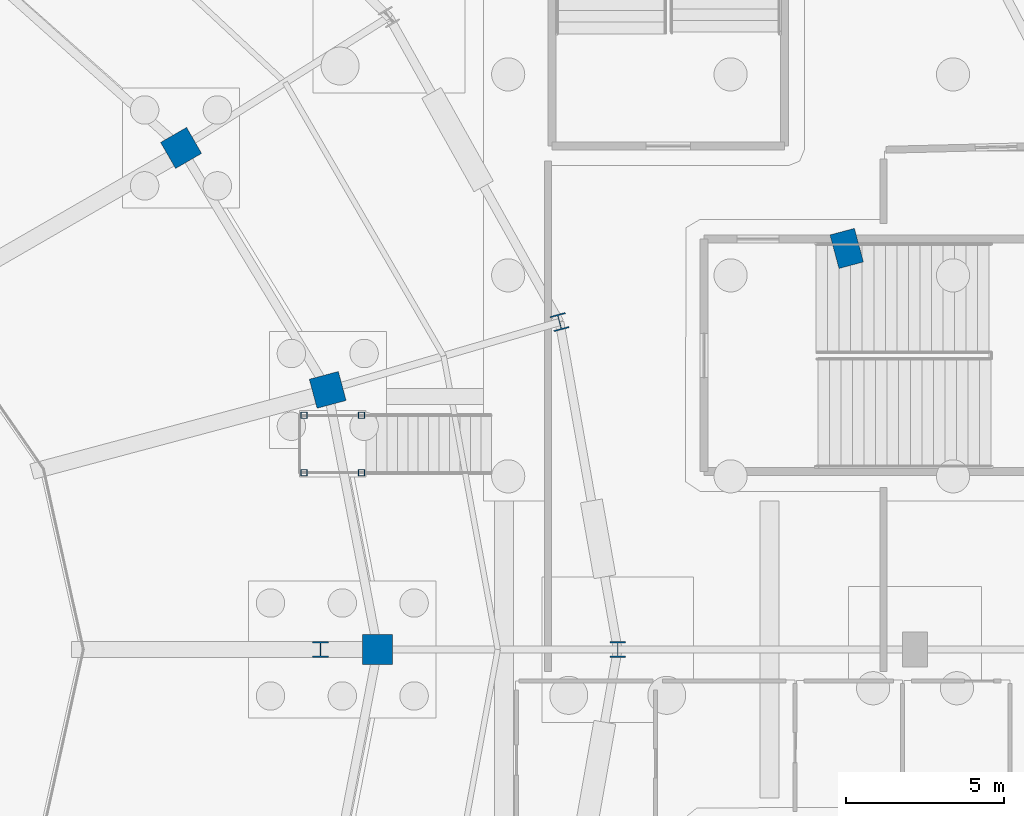
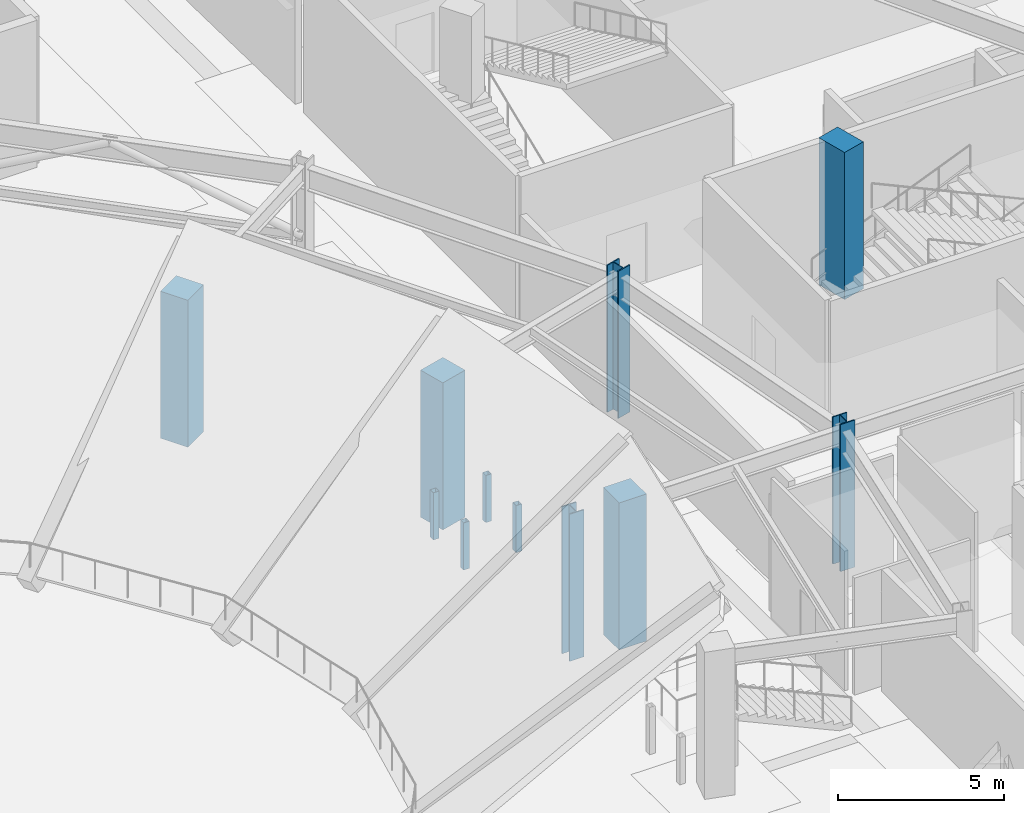
# One storey, part 30 of 93: 11 columns.
"""IFC4 building model written with IfcOpenShell, lengths in metres."""

from ifc_helpers import new_model, si_unit, direction, frame, origin, origin_2d, place, context, subcontext, project, spatial, rectangle, hollow_rectangle, i_section, extrude, material, material_profile, profile_set, type_object, element, save


model = new_model("IFC4")

# Units and contexts
model_context = context("Model", 3, precision=1e-05, world=origin(), true_north=direction((0.0, 1.0)))
body_context = subcontext(model_context, "Body", "Model", "MODEL_VIEW")
ifc_project = project(units=[si_unit("LENGTHUNIT", "METRE"), si_unit("AREAUNIT", "SQUARE_METRE"), si_unit("VOLUMEUNIT", "CUBIC_METRE"), si_unit("PLANEANGLEUNIT", "RADIAN"), si_unit("MASSUNIT", "GRAM", prefix="KILO")], contexts=[model_context])

# Site, building, storey
site_placement = place(None, origin())
site = spatial("IfcSite", under=ifc_project, at=site_placement, CompositionType="ELEMENT")
building_placement = place(site_placement, origin())
building = spatial("IfcBuilding", under=site, at=building_placement, Name="Kalgoora Escarpment Arena", CompositionType="ELEMENT")
storey_placement = place(building_placement, origin())
storey = spatial("IfcBuildingStorey", under=building, at=storey_placement, Name="L00", CompositionType="ELEMENT", Elevation=0.0)

# Columns
ifc_material_1 = material(Name="Structural steel Grade 350 (350 MPa)", Category="steel")
ifc_material_profile_1 = material_profile(ifc_material_1, i_section(OverallWidth=0.5, OverallDepth=0.5, WebThickness=0.02490234375, FlangeThickness=0.0419921875, at=origin_2d()))
ifc_profile_set_1 = profile_set([ifc_material_profile_1], Name="Structural steel Grade 350 (350 MPa)")
column_type_1 = type_object("IfcColumnType", Name="COL-COL-500WC440", PredefinedType="COLUMN", material=ifc_profile_set_1)
for number, where, z_axis, x_axis, name in (
    (1, (146.39990234375, 64.0, 0.0), (0.0, 0.0, 1.0), (1.0, 0.0, 0.0), "L00 structural column COL-RMAIN-R01"),
    (2, (144.56005859375, 74.352783203125, 0.0), (0.0, 0.0, 1.0), (0.965925826289, 0.258819045103, 0.0), "L00 structural column COL-RMAIN-R02"),
    (3, (137.0, 64.0, 0.0), (0.0, 0.0, 1.0), (1.0, 0.0, 0.0), "L00 structural column COL-TSPINE-S01"),
):
    element("IfcColumn", number, at=place(storey_placement, frame(where, z_axis=z_axis, x_axis=x_axis)), inside=storey, type_object=column_type_1, Name=name, PredefinedType="COLUMN", context=body_context, shape_type="SweptSolid", body=[
        extrude(i_section(OverallWidth=0.5, OverallDepth=0.5, WebThickness=0.02490234375, FlangeThickness=0.0419921875, at=origin_2d()), origin(), (0.0, 0.0, 1.0), 5.39990234375),
    ])
ifc_material_2 = material(Name="Concrete N50 (fc' 50 MPa)", Category="concrete")
ifc_material_profile_2 = material_profile(ifc_material_2, rectangle(XDim=0.800048828125, YDim=1.10009765625, at=origin_2d()))
ifc_profile_set_2 = profile_set([ifc_material_profile_2], Name="Concrete N50 (fc' 50 MPa)")
column_type_2 = type_object("IfcColumnType", Name="COL-COL-RC1100x800", PredefinedType="COLUMN", material=ifc_profile_set_2)
column_placement = place(storey_placement, frame((153.6396484375, 76.68212890625, 0.0), z_axis=(0.0, 0.0, 1.0), x_axis=(0.965925826289, 0.258819045103, 0.0)))
element("IfcColumn", 4, at=column_placement, inside=storey, type_object=column_type_2, Name="L00 structural column COL-RCONC1-R02", PredefinedType="COLUMN", context=body_context, shape_type="SweptSolid", body=[
    extrude(rectangle(XDim=0.800048828125, YDim=1.10009765625, at=origin_2d()), origin(), (0.0, 0.0, 1.0), 5.39990234375),
])
ifc_material_3 = material(Name="Concrete N50 (fc' 50 MPa)", Category="concrete")
ifc_material_profile_3 = material_profile(ifc_material_3, rectangle(XDim=0.949951171875, YDim=0.949951171875, at=origin_2d()))
ifc_profile_set_3 = profile_set([ifc_material_profile_3], Name="Concrete N50 (fc' 50 MPa)")
column_type_3 = type_object("IfcColumnType", Name="COL-COL-RC950x950", PredefinedType="COLUMN", material=ifc_profile_set_3)
for number, where, z_axis, x_axis, name in (
    (5, (138.81005859375, 64.0, 0.0), (0.0, 0.0, 1.0), (1.0, 0.0, 0.0), "L00 structural column COL-RMID-R01"),
    (6, (137.228515625, 72.209716796875, 0.0), (0.0, 0.0, 1.0), (0.965925826289, 0.258819045103, 0.0), "L00 structural column COL-RMID-R02"),
    (7, (132.59228515625, 79.860107421875, 0.0), (0.0, 0.0, 1.0), (0.866025403784, 0.5, 0.0), "L00 structural column COL-RMID-R03"),
):
    element("IfcColumn", number, at=place(storey_placement, frame(where, z_axis=z_axis, x_axis=x_axis)), inside=storey, type_object=column_type_3, Name=name, PredefinedType="COLUMN", context=body_context, shape_type="SweptSolid", body=[
        extrude(rectangle(XDim=0.949951171875, YDim=0.949951171875, at=origin_2d()), origin(), (0.0, 0.0, 1.0), 5.39990234375),
    ])
ifc_material_4 = material(Name="Structural steel C350 (350 MPa)", Category="steel")
ifc_material_profile_4 = material_profile(ifc_material_4, hollow_rectangle(XDim=0.199951171875, YDim=0.199951171875, WallThickness=0.009033203125, at=origin_2d()))
ifc_profile_set_4 = profile_set([ifc_material_profile_4], Name="Structural steel C350 (350 MPa)")
column_type_4 = type_object("IfcColumnType", Name="COL-VST-POST", PredefinedType="COLUMN", material=ifc_profile_set_4)
for number, where, z_axis, x_axis, name in (
    (8, (136.47998046875, 69.590087890625, 0.0), (0.0, 0.0, 1.0), (1.0, 0.0, 0.0), "Vomitory landing support post VST12-1"),
    (9, (138.300048828125, 69.590087890625, 0.0), (0.0, 0.0, 1.0), (1.0, 0.0, 0.0), "Vomitory landing support post VST12-2"),
    (10, (136.47998046875, 71.409912109375, 0.0), (0.0, 0.0, 1.0), (1.0, 0.0, 0.0), "Vomitory landing support post VST12-3"),
    (11, (138.300048828125, 71.409912109375, 0.0), (0.0, 0.0, 1.0), (1.0, 0.0, 0.0), "Vomitory landing support post VST12-4"),
):
    element("IfcColumn", number, at=place(storey_placement, frame(where, z_axis=z_axis, x_axis=x_axis)), inside=storey, type_object=column_type_4, Name=name, PredefinedType="COLUMN", context=body_context, shape_type="SweptSolid", body=[
        extrude(hollow_rectangle(XDim=0.199951171875, YDim=0.199951171875, WallThickness=0.009033203125, at=origin_2d()), origin(), (0.0, 0.0, 1.0), 1.72998046875),
    ])

save(model, "model.ifc")
